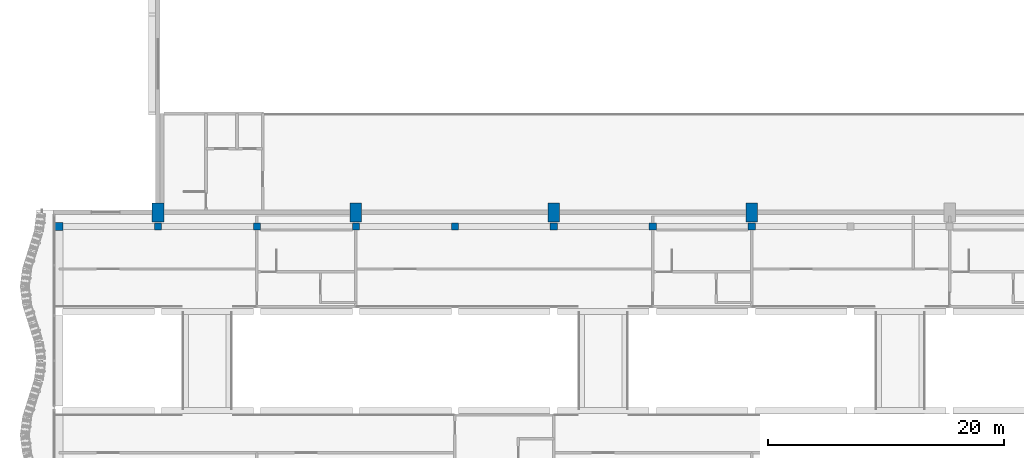
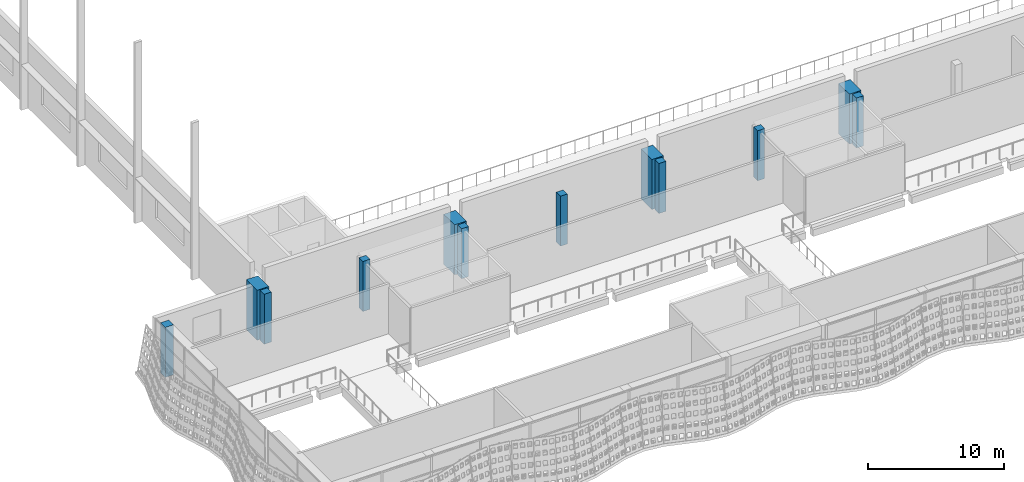
# One storey, part 6 of 162: 12 columns.
"""IFC4 building model written with IfcOpenShell, lengths in metres."""

from ifc_helpers import new_model, si_unit, direction, frame, origin, origin_2d, place, context, subcontext, project, spatial, rectangle, extrude, material, material_profile, profile_set, type_object, element, save


model = new_model("IFC4")

# Units and contexts
model_context = context("Model", 3, precision=1e-05, world=origin(), true_north=direction((0.0, 1.0)))
body_context = subcontext(model_context, "Body", "Model", "MODEL_VIEW")
ifc_project = project(units=[si_unit("LENGTHUNIT", "METRE"), si_unit("AREAUNIT", "SQUARE_METRE"), si_unit("VOLUMEUNIT", "CUBIC_METRE"), si_unit("PLANEANGLEUNIT", "RADIAN"), si_unit("MASSUNIT", "GRAM", prefix="KILO")], contexts=[model_context])

# Site, building, storey
site_placement = place(None, origin())
site = spatial("IfcSite", under=ifc_project, at=site_placement, CompositionType="ELEMENT")
building_placement = place(site_placement, origin())
building = spatial("IfcBuilding", under=site, at=building_placement, Name="Rain Tree Exposition and Congress Centre", CompositionType="ELEMENT")
storey_placement = place(building_placement, frame((0.0, 0.0, 6.0)))
storey = spatial("IfcBuildingStorey", under=building, at=storey_placement, Name="L01", CompositionType="ELEMENT", Elevation=6.0)

# Columns
ifc_material_1 = material(Name="Precast concrete C50/60", Category="concrete")
ifc_material_profile_1 = material_profile(ifc_material_1, rectangle(XDim=1.0, YDim=1.60009765625, at=origin_2d()), Name="RC 1000x1600")
ifc_profile_set_1 = profile_set([ifc_material_profile_1], Name="Precast concrete C50/60")
column_type_1 = type_object("IfcColumnType", Name="Precast column 1000x1600", PredefinedType="COLUMN", material=ifc_profile_set_1)
for number, where, z_axis, x_axis, name in (
    (1, (8.39990234375, 100.800048828125, 0.0), (0.0, 0.0, 1.0), (1.0, 0.0, 0.0), "Expressed column 1"),
    (2, (25.199951171875, 100.800048828125, 0.0), (0.0, 0.0, 1.0), (1.0, 0.0, 0.0), "Expressed column 2"),
    (3, (42.0, 100.800048828125, 0.0), (0.0, 0.0, 1.0), (1.0, 0.0, 0.0), "Expressed column 3"),
    (4, (58.800048828125, 100.800048828125, 0.0), (0.0, 0.0, 1.0), (1.0, 0.0, 0.0), "Expressed column 4"),
):
    element("IfcColumn", number, at=place(storey_placement, frame(where, z_axis=z_axis, x_axis=x_axis)), inside=storey, type_object=column_type_1, Name=name, PredefinedType="COLUMN", context=body_context, shape_type="SweptSolid", body=[
        extrude(rectangle(XDim=1.0, YDim=1.60009765625, at=origin_2d()), origin(), (0.0, 0.0, 1.0), 4.5),
    ])
ifc_material_2 = material(Name="Precast concrete C50/60", Category="concrete")
ifc_material_profile_2 = material_profile(ifc_material_2, rectangle(XDim=0.60009765625, YDim=0.60009765625, at=origin_2d()), Name="RC 600x600")
ifc_profile_set_2 = profile_set([ifc_material_profile_2], Name="Precast concrete C50/60")
column_type_2 = type_object("IfcColumnType", Name="Precast column 600x600", PredefinedType="COLUMN", material=ifc_profile_set_2)
for number, where, z_axis, x_axis, name in (
    (5, (8.39990234375, 99.60009765625, 0.0), (0.0, 0.0, 1.0), (1.0, 0.0, 0.0), "Concourse column L01 B2"),
    (6, (16.800048828125, 99.60009765625, 0.0), (0.0, 0.0, 1.0), (1.0, 0.0, 0.0), "Concourse column L01 B3"),
    (7, (25.199951171875, 99.60009765625, 0.0), (0.0, 0.0, 1.0), (1.0, 0.0, 0.0), "Concourse column L01 B4"),
    (8, (33.60009765625, 99.60009765625, 0.0), (0.0, 0.0, 1.0), (1.0, 0.0, 0.0), "Concourse column L01 B5"),
    (9, (42.0, 99.60009765625, 0.0), (0.0, 0.0, 1.0), (1.0, 0.0, 0.0), "Concourse column L01 B6"),
    (10, (50.39990234375, 99.60009765625, 0.0), (0.0, 0.0, 1.0), (1.0, 0.0, 0.0), "Concourse column L01 B7"),
    (11, (58.800048828125, 99.60009765625, 0.0), (0.0, 0.0, 1.0), (1.0, 0.0, 0.0), "Concourse column L01 B8"),
):
    element("IfcColumn", number, at=place(storey_placement, frame(where, z_axis=z_axis, x_axis=x_axis)), inside=storey, type_object=column_type_2, Name=name, PredefinedType="COLUMN", context=body_context, shape_type="SweptSolid", body=[
        extrude(rectangle(XDim=0.60009765625, YDim=0.60009765625, at=origin_2d()), origin(), (0.0, 0.0, 1.0), 4.5),
    ])
ifc_material_3 = material(Name="Precast concrete C50/60", Category="concrete")
ifc_material_profile_3 = material_profile(ifc_material_3, rectangle(XDim=0.699951171875, YDim=0.699951171875, at=origin_2d()), Name="RC 700x700")
ifc_profile_set_3 = profile_set([ifc_material_profile_3], Name="Precast concrete C50/60")
column_type_3 = type_object("IfcColumnType", Name="Precast column 700x700", PredefinedType="COLUMN", material=ifc_profile_set_3)
column_placement = place(storey_placement, frame((0.0, 99.60009765625, 0.0), z_axis=(0.0, 0.0, 1.0), x_axis=(1.0, 0.0, 0.0)))
element("IfcColumn", 12, at=column_placement, inside=storey, type_object=column_type_3, Name="Concourse column L01 B1", PredefinedType="COLUMN", context=body_context, shape_type="SweptSolid", body=[
    extrude(rectangle(XDim=0.699951171875, YDim=0.699951171875, at=origin_2d()), origin(), (0.0, 0.0, 1.0), 4.5),
])

save(model, "model.ifc")
